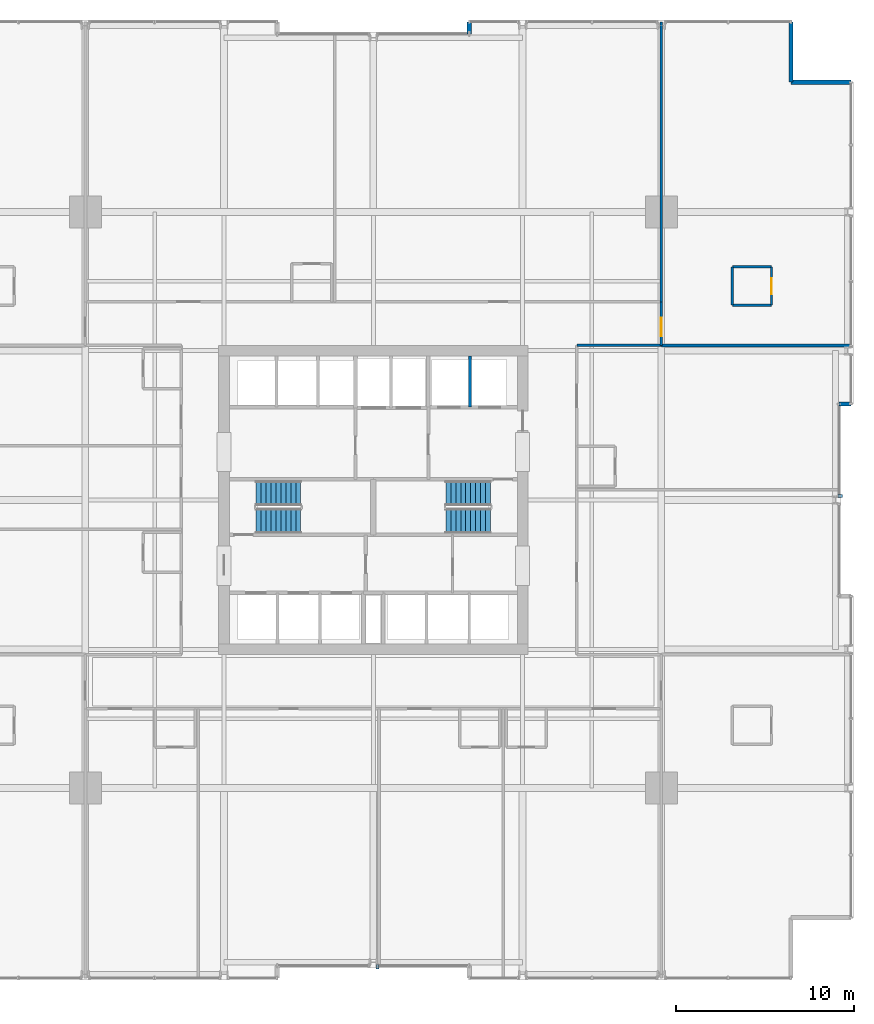
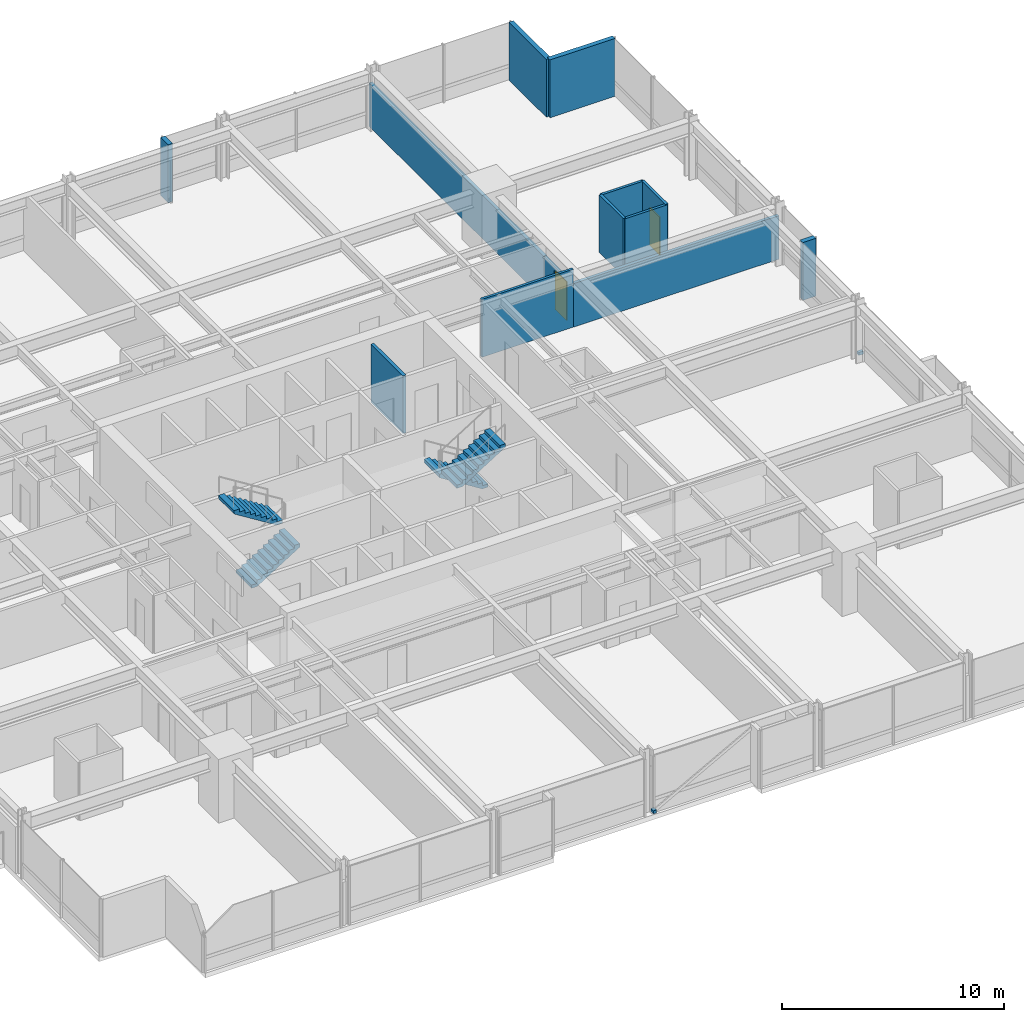
# One storey, part 33 of 37: 13 walls, 4 stair flights, 2 discrete accessories, 2 doors, 2 openings, 2 elements without a shape of their own.
"""IFC4 building model written with IfcOpenShell, lengths in metres."""

import ifcopenshell
import ifcopenshell.guid

model = None  # the IFC model being written
_history = None  # IfcOwnerHistory: only IFC2X3 demands one
_inside = {}  # id of a spatial element -> (the spatial element, [elements in it])
_under = {}  # id of a project, library or spatial element -> (it, [spatial elements below it])
_declared = {}  # id of a project -> (the project, [libraries it declares])
_typed = {}  # id of a type object -> (the type object, [elements of that type])
_made_of = {}  # id of a material, layer set ... -> (it, [elements and type objects made of it])


def new_model(schema):
    """Start an empty IFC model of exactly this schema.

    Asked for "IFC4X3", IfcOpenShell would pick the latest addendum, in which some entities
    have other attributes; the version numbers below select the first issue.
    IFC2X3 requires an IfcOwnerHistory on every rooted entity: one is made here for all.
    """
    global model, _history
    if schema == "IFC4X3":
        model = ifcopenshell.file(schema_version=(4, 3, 0, 0))
    else:
        model = ifcopenshell.file(schema=schema)
    _inside.clear()
    _under.clear()
    _declared.clear()
    _typed.clear()
    _made_of.clear()
    _history = None
    if model.schema == "IFC2X3":
        org = make("IfcOrganization", Name="unknown")
        user = make(
            "IfcPersonAndOrganization",
            ThePerson=make("IfcPerson", FamilyName="unknown"),
            TheOrganization=org,
        )
        app = make(
            "IfcApplication",
            ApplicationDeveloper=org,
            Version="unknown",
            ApplicationFullName="unknown",
            ApplicationIdentifier="unknown",
        )
        _history = make(
            "IfcOwnerHistory",
            OwningUser=user,
            OwningApplication=app,
            ChangeAction="ADDED",
            CreationDate=0,
        )
    return model


def make(cls, **values):
    """One entity of the class cls with the attributes given. An attribute that is None is left unset."""
    return model.create_entity(
        cls, **{name: value for name, value in values.items() if value is not None}
    )


def rooted(cls, **values):
    """An entity with a GlobalId (a new one), such as an element, a storey or a relation."""
    return make(cls, GlobalId=ifcopenshell.guid.new(), OwnerHistory=_history, **values)


def si_unit(unit_type, name, prefix=None):
    """IfcSIUnit, for example si_unit("LENGTHUNIT", "METRE", prefix="MILLI")."""
    return make("IfcSIUnit", UnitType=unit_type, Prefix=prefix, Name=name)


def assignment(units):
    """IfcUnitAssignment: the units of a project."""
    return None if units is None else make("IfcUnitAssignment", Units=units)


def point(xyz):
    """IfcCartesianPoint."""
    return None if xyz is None else make("IfcCartesianPoint", Coordinates=xyz)


def direction(xyz):
    """IfcDirection."""
    return None if xyz is None else make("IfcDirection", DirectionRatios=xyz)


def frame(location, z_axis=None, x_axis=None):
    """IfcAxis2Placement3D, a coordinate frame: its origin and axes. An axis left out is left unset."""
    return make(
        "IfcAxis2Placement3D",
        Location=point(location),
        Axis=direction(z_axis),
        RefDirection=direction(x_axis),
    )


def frame_2d(location, x_axis=None):
    """IfcAxis2Placement2D, a coordinate frame in the plane: its origin and x axis."""
    return make(
        "IfcAxis2Placement2D", Location=point(location), RefDirection=direction(x_axis)
    )


def origin():
    """The frame at (0, 0, 0) with its axes left unset."""
    return frame((0.0, 0.0, 0.0))


def origin_2d():
    """The frame at (0, 0) in the plane with its x axis left unset."""
    return frame_2d((0.0, 0.0))


def place(relative_to, where):
    """IfcLocalPlacement: puts the frame where relative to a parent placement (None: the world)."""
    return make(
        "IfcLocalPlacement", PlacementRelTo=relative_to, RelativePlacement=where
    )


def context(
    kind, dimensions, precision=None, world=None, true_north=None, identifier=None
):
    """IfcGeometricRepresentationContext, for example the 3D "Model" context."""
    return make(
        "IfcGeometricRepresentationContext",
        ContextIdentifier=identifier,
        ContextType=kind,
        CoordinateSpaceDimension=dimensions,
        Precision=precision,
        WorldCoordinateSystem=world,
        TrueNorth=true_north,
    )


def subcontext(parent, identifier, kind, view, scale=None):
    """IfcGeometricRepresentationSubContext, for example "Body" below "Model"."""
    return make(
        "IfcGeometricRepresentationSubContext",
        ContextIdentifier=identifier,
        ContextType=kind,
        ParentContext=parent,
        TargetScale=scale,
        TargetView=view,
    )


def project(units=None, contexts=None):
    """IfcProject with its units and contexts."""
    return rooted(
        "IfcProject",
        Name="project",
        RepresentationContexts=contexts,
        UnitsInContext=assignment(units),
    )


def spatial(cls, under=None, at=None, **own):
    """A site, building, storey or space (cls), placed at a placement, below another one or the project."""
    s = rooted(cls, ObjectPlacement=at, **own)
    if under is not None:
        _under.setdefault(under.id(), (under, []))[1].append(s)
    return s


def polyline(points):
    """IfcPolyline through the points."""
    return make("IfcPolyline", Points=[point(p) for p in points])


def profile(cls, at=None, kind="AREA", **sizes):
    """A parametric profile (cls). Its sizes go by their IFC names, for example OverallWidth=200.0."""
    return make(cls, ProfileType=kind, Position=at, **sizes)


def rectangle(**sizes):
    """IfcRectangleProfileDef."""
    return profile("IfcRectangleProfileDef", **sizes)


def outline(outer, holes=None, kind="AREA"):
    """IfcArbitraryClosedProfileDef: a profile drawn as a closed curve; with holes, ...WithVoids."""
    if holes is None:
        return make("IfcArbitraryClosedProfileDef", ProfileType=kind, OuterCurve=outer)
    return make(
        "IfcArbitraryProfileDefWithVoids",
        ProfileType=kind,
        OuterCurve=outer,
        InnerCurves=holes,
    )


def extrude(swept, where, along, depth):
    """IfcExtrudedAreaSolid: the profile swept, set in the frame where, extruded along a direction by depth."""
    return make(
        "IfcExtrudedAreaSolid",
        SweptArea=swept,
        Position=where,
        ExtrudedDirection=direction(along),
        Depth=depth,
    )


def shape(context_of_items, identifier, shape_type, items):
    """IfcShapeRepresentation: the items that make up one representation, for example the "Body"."""
    return make(
        "IfcShapeRepresentation",
        ContextOfItems=context_of_items,
        RepresentationIdentifier=identifier,
        RepresentationType=shape_type,
        Items=items,
    )


def material(Name=None, Category=None):
    """IfcMaterial."""
    return make("IfcMaterial", Name=Name, Category=Category)


def layer(
    of_material, thickness, ventilated=None, Name=None, Category=None, Priority=None
):
    """IfcMaterialLayer: one layer of a wall or slab, of a material (None: an air gap)."""
    return make(
        "IfcMaterialLayer",
        Material=of_material,
        LayerThickness=thickness,
        IsVentilated=ventilated,
        Name=Name,
        Category=Category,
        Priority=Priority,
    )


def layer_set(layers, Name=None):
    """IfcMaterialLayerSet."""
    return make("IfcMaterialLayerSet", MaterialLayers=layers, LayerSetName=Name)


def made_of(thing, what):
    """Note that an element or type object is made of a material, layer set ...; save() writes the relation."""
    if what is not None:
        _made_of.setdefault(what.id(), (what, []))[1].append(thing)
    return thing


def type_object(cls, material=None, **own):
    """A type object (cls), such as IfcWallType, which elements share."""
    return made_of(rooted(cls, **own), material)


def element(
    cls,
    number,
    at=None,
    inside=None,
    cuts=None,
    type_object=None,
    material=None,
    context=None,
    identifier="Body",
    shape_type=None,
    held_by="IfcProductDefinitionShape",
    body=None,
    shapes=None,
    **own,
):
    """One element of the class cls, such as IfcWall. Its Tag is "e" and its number.

    at: its placement. inside: the storey or other place that contains it. cuts: it is an
    opening in that element (IfcRelVoidsElement). A single representation is given by context,
    identifier, shape_type and body (its items); several are given by shapes. held_by: the class
    of the entity that holds the representations. save() writes the other relations.
    """
    e = rooted(cls, Tag="e%d" % number, ObjectPlacement=at, **own)
    if body is not None:
        shapes = [shape(context, identifier, shape_type, body)]
    if shapes is not None:
        e.Representation = make(held_by, Representations=shapes)
    if inside is not None:
        _inside.setdefault(inside.id(), (inside, []))[1].append(e)
    if cuts is not None:
        rooted(
            "IfcRelVoidsElement", RelatingBuildingElement=cuts, RelatedOpeningElement=e
        )
    if type_object is not None:
        _typed.setdefault(type_object.id(), (type_object, []))[1].append(e)
    return made_of(e, material)


def fill(opening, filler):
    """IfcRelFillsElement: the door or window that sits in an opening."""
    return rooted(
        "IfcRelFillsElement",
        RelatingOpeningElement=opening,
        RelatedBuildingElement=filler,
    )


def aggregate(whole, parts):
    """IfcRelAggregates: a whole, such as a stair, and the parts it consists of."""
    return rooted("IfcRelAggregates", RelatingObject=whole, RelatedObjects=parts)


def save(model, path):
    """Write the relations noted so far, then the file.

    IfcRelAggregates (storeys below a building ...), IfcRelContainedInSpatialStructure (elements
    in a storey), IfcRelDefinesByType, IfcRelAssociatesMaterial and IfcRelDeclares: one each for
    every whole, place, type object, material and project.
    """
    for whole, parts in _under.values():
        aggregate(whole, parts)
    for where, things in _inside.values():
        rooted(
            "IfcRelContainedInSpatialStructure",
            RelatedElements=things,
            RelatingStructure=where,
        )
    for kind, things in _typed.values():
        rooted("IfcRelDefinesByType", RelatedObjects=things, RelatingType=kind)
    for what, things in _made_of.values():
        rooted("IfcRelAssociatesMaterial", RelatedObjects=things, RelatingMaterial=what)
    for by, libraries in _declared.values():
        rooted("IfcRelDeclares", RelatingContext=by, RelatedDefinitions=libraries)
    model.write(path)


model = new_model("IFC4")

# Units and contexts
model_context = context("Model", 3, precision=1e-05, world=origin(), true_north=direction((0.0, 1.0)))
body_context = subcontext(model_context, "Body", "Model", "MODEL_VIEW")
ifc_project = project(units=[si_unit("LENGTHUNIT", "METRE"), si_unit("AREAUNIT", "SQUARE_METRE"), si_unit("VOLUMEUNIT", "CUBIC_METRE"), si_unit("PLANEANGLEUNIT", "RADIAN"), si_unit("MASSUNIT", "GRAM", prefix="KILO")], contexts=[model_context])

# Site, building, storey
site_placement = place(None, origin())
site = spatial("IfcSite", under=ifc_project, at=site_placement, CompositionType="ELEMENT")
building_placement = place(site_placement, origin())
building = spatial("IfcBuilding", under=site, at=building_placement, Name="Drelvath Grand Hotel", CompositionType="ELEMENT")
storey_placement = place(building_placement, frame((0.0, 0.0, 78.699951171875)))
storey = spatial("IfcBuildingStorey", under=building, at=storey_placement, Name="L19", CompositionType="ELEMENT", Elevation=78.699951171875)

# Walls
ifc_material_1 = material(Name="Gypsum Fireboard Partition")
ifc_layer_1 = layer(ifc_material_1, 0.1650390625)
ifc_layer_set_1 = layer_set([ifc_layer_1], Name="Gypsum Fireboard Partition")
wall_type_1 = type_object("IfcWallType", Name="Core Shaft Partition 165", PredefinedType="PARTITIONING", material=ifc_layer_set_1)
wall_1_placement = place(storey_placement, frame((5.449951171875, 32.219970703125, 0.0), z_axis=(0.0, 0.0, 1.0), x_axis=(0.0, 1.0, 0.0)))
element("IfcWall", 1, at=wall_1_placement, inside=storey, type_object=wall_type_1, Name="L19 FSAE Hoistway Divider", PredefinedType="PARTITIONING", context=body_context, shape_type="SweptSolid", body=[
    extrude(rectangle(XDim=2.880126953125, YDim=0.1650390625, at=frame_2d((1.43994140625, 0.0))), origin(), (0.0, 0.0, 1.0), 3.179931640625),
])
ifc_layer_2 = layer(ifc_material_1, 0.135009765625)
ifc_layer_set_2 = layer_set([ifc_layer_2], Name="Gypsum Fireboard Partition")
wall_type_2 = type_object("IfcWallType", Name="Corridor Fire Barrier Wall 135", PredefinedType="PARTITIONING", material=ifc_layer_set_2)
wall_2_placement = place(storey_placement, frame((11.449951171875, 35.699951171875, 0.0), z_axis=(0.0, 0.0, 1.0), x_axis=(1.0, 0.0, 0.0)))
element("IfcWall", 2, at=wall_2_placement, inside=storey, type_object=wall_type_2, Name="L19 NE Spur Inner Wall", PredefinedType="PARTITIONING", context=body_context, shape_type="SweptSolid", body=[
    extrude(rectangle(XDim=4.75, YDim=0.135009765625, at=frame_2d((2.375, 0.0))), origin(), (0.0, 0.0, 1.0), 3.179931640625),
])

# Wall, opening, door
wall_3_placement = place(storey_placement, frame((16.199951171875, 35.699951171875, 0.0), z_axis=(0.0, 0.0, 1.0), x_axis=(0.0, 1.0, 0.0)))
wall_3 = element("IfcWall", 3, at=wall_3_placement, inside=storey, type_object=wall_type_2, Name="L19 North Corridor East End", PredefinedType="PARTITIONING", context=body_context, shape_type="SweptSolid", body=[
    extrude(rectangle(XDim=2.449951171875, YDim=0.135009765625, at=frame_2d((1.22509765625, 0.0))), origin(), (0.0, 0.0, 1.0), 2.391845703125),
])
opening_1_placement = place(wall_3_placement, frame((0.52001953125, 0.0, 0.0)))
opening_1 = element("IfcOpeningElement", 4, at=opening_1_placement, cuts=wall_3, Name="Opening D-T1G5-023", PredefinedType="OPENING", context=body_context, shape_type="SweptSolid", body=[
    extrude(rectangle(XDim=1.02001953125, YDim=2.14990234375, at=frame_2d((0.510009765625, 1.074951171875))), frame((0.0, 0.077392578125, 0.0), z_axis=(0.0, -1.0, 0.0), x_axis=(1.0, 0.0, 0.0)), (0.0, 0.0, 1.0), 0.155029296875),
])
ifc_material_2 = material(Name="Hardwood Walnut Timber", Category="wood")
door_type_1 = type_object("IfcDoorType", Name="Amenity Meeting Fire Door 1020x2150", OperationType="NOTDEFINED", PredefinedType="DOOR", material=ifc_material_2)
door_1_placement = place(opening_1_placement, origin())
door_1 = element("IfcDoor", 5, at=door_1_placement, inside=storey, type_object=door_type_1, Name="L19 Corner Suite Entry Door", OperationType="SINGLE_SWING_RIGHT", OverallHeight=2.14990234375, OverallWidth=1.02001953125, PredefinedType="DOOR", context=body_context, shape_type="SweptSolid", body=[
    extrude(rectangle(XDim=1.02001953125, YDim=2.14990234375, at=frame_2d((0.510009765625, 1.074951171875))), frame((0.0, 0.02490234375, 0.0), z_axis=(0.0, -1.0, 0.0), x_axis=(1.0, 0.0, 0.0)), (0.0, 0.0, 1.0), 0.050048828125),
])
fill(opening_1, door_1)

# Walls
ifc_material_3 = material(Name="Moisture-Resistant Gypsum Board")
ifc_layer_3 = layer(ifc_material_3, 0.139892578125)
ifc_layer_set_3 = layer_set([ifc_layer_3], Name="Moisture-Resistant Gypsum Board")
wall_type_3 = type_object("IfcWallType", Name="En-Suite Plumbing Wall 140", PredefinedType="PLUMBINGWALL", material=ifc_layer_set_3)
for number, where, z_axis, x_axis, name in (
    (6, (20.199951171875, 37.9599609375, 0.0), (0.0, 0.0, 1.0), (1.0, 0.0, 0.0), "L19 Corner En-Suite South"),
    (7, (20.199951171875, 40.110107421875, 0.0), (0.0, 0.0, 1.0), (1.0, 0.0, 0.0), "L19 Corner En-Suite North"),
):
    element("IfcWall", number, at=place(storey_placement, frame(where, z_axis=z_axis, x_axis=x_axis)), inside=storey, type_object=wall_type_3, Name=name, PredefinedType="PLUMBINGWALL", context=body_context, shape_type="SweptSolid", body=[
        extrude(rectangle(XDim=2.199951171875, YDim=0.139892578125, at=frame_2d((1.10009765625, 0.0))), origin(), (0.0, 0.0, 1.0), 3.179931640625),
    ])
wall_4_placement = place(storey_placement, frame((20.199951171875, 37.9599609375, 0.0), z_axis=(0.0, 0.0, 1.0), x_axis=(0.0, 1.0, 0.0)))
element("IfcWall", 8, at=wall_4_placement, inside=storey, type_object=wall_type_3, Name="L19 Corner En-Suite West", PredefinedType="PLUMBINGWALL", context=body_context, shape_type="SweptSolid", body=[
    extrude(rectangle(XDim=2.150146484375, YDim=0.139892578125, at=frame_2d((1.0751953125, 0.0))), origin(), (0.0, 0.0, 1.0), 3.179931640625),
])

# Wall, opening, door
wall_5_placement = place(storey_placement, frame((22.39990234375, 37.9599609375, 0.0), z_axis=(0.0, 0.0, 1.0), x_axis=(0.0, 1.0, 0.0)))
wall_5 = element("IfcWall", 9, at=wall_5_placement, inside=storey, type_object=wall_type_3, Name="L19 Corner En-Suite East", PredefinedType="PLUMBINGWALL", context=body_context, shape_type="SweptSolid", body=[
    extrude(rectangle(XDim=2.150146484375, YDim=0.139892578125, at=frame_2d((1.0751953125, 0.0))), origin(), (0.0, 0.0, 1.0), 3.179931640625),
])
opening_2_placement = place(wall_5_placement, frame((0.6201171875, 0.0, 0.0)))
opening_2 = element("IfcOpeningElement", 10, at=opening_2_placement, cuts=wall_5, Name="Opening D-T1G5-022", PredefinedType="OPENING", context=body_context, shape_type="SweptSolid", body=[
    extrude(rectangle(XDim=0.8798828125, YDim=2.10009765625, at=frame_2d((0.43994140625, 1.050048828125))), frame((0.0, 0.079833984375, 0.0), z_axis=(0.0, -1.0, 0.0), x_axis=(1.0, 0.0, 0.0)), (0.0, 0.0, 1.0), 0.159912109375),
])
door_type_2 = type_object("IfcDoorType", Name="En-Suite Bathroom Door 880x2100", OperationType="NOTDEFINED", PredefinedType="DOOR", material=ifc_material_2)
door_2_placement = place(opening_2_placement, origin())
door_2 = element("IfcDoor", 11, at=door_2_placement, inside=storey, type_object=door_type_2, Name="L19 Corner En-Suite Door", OperationType="SINGLE_SWING_LEFT", OverallHeight=2.10009765625, OverallWidth=0.8798828125, PredefinedType="DOOR", context=body_context, shape_type="SweptSolid", body=[
    extrude(rectangle(XDim=0.8798828125, YDim=2.10009765625, at=frame_2d((0.43994140625, 1.050048828125))), frame((0.0, 0.02490234375, 0.0), z_axis=(0.0, -1.0, 0.0), x_axis=(1.0, 0.0, 0.0)), (0.0, 0.0, 1.0), 0.050048828125),
])
fill(opening_2, door_2)

# Walls
ifc_material_4 = material(Name="Gypsum Acoustic Partition")
ifc_layer_4 = layer(ifc_material_4, 0.1650390625)
ifc_layer_set_4 = layer_set([ifc_layer_4], Name="Gypsum Acoustic Partition")
wall_type_4 = type_object("IfcWallType", Name="Suite Demising Wall 165", PredefinedType="PARTITIONING", material=ifc_layer_set_4)
wall_6_placement = place(storey_placement, frame((16.199951171875, 38.14990234375, 0.0), z_axis=(0.0, 0.0, 1.0), x_axis=(0.0, 1.0, 0.0)))
element("IfcWall", 12, at=wall_6_placement, inside=storey, type_object=wall_type_4, Name="L19 NE Wing Boundary Wall", PredefinedType="PARTITIONING", context=body_context, shape_type="SweptSolid", body=[
    extrude(rectangle(XDim=15.72998046875, YDim=0.1650390625, at=frame_2d((7.864990234375, 0.0))), origin(), (0.0, 0.0, 1.0), 2.391845703125),
])
wall_7_placement = place(storey_placement, frame((16.199951171875, 35.699951171875, 0.0), z_axis=(0.0, 0.0, 1.0), x_axis=(1.0, 0.0, 0.0)))
element("IfcWall", 13, at=wall_7_placement, inside=storey, type_object=wall_type_4, Name="L19 NE Corner South Wall", PredefinedType="PARTITIONING", context=body_context, shape_type="SweptSolid", body=[
    extrude(rectangle(XDim=10.679931640625, YDim=0.1650390625, at=frame_2d((5.33984375, 0.0))), origin(), (0.0, 0.0, 1.0), 2.391845703125),
])
ifc_material_5 = material(Name="Pale-Metal Insulated Aluminium Spandrel Assembly", Category="aluminium")
ifc_layer_5 = layer(ifc_material_5, 0.239990234375)
ifc_layer_set_5 = layer_set([ifc_layer_5], Name="Pale-Metal Insulated Aluminium Spandrel Assembly")
wall_type_5 = type_object("IfcWallType", Name="Tower Insulated Metal Spandrel Closure Wall 240", PredefinedType="STANDARD", material=ifc_layer_set_5)
for number, where, z_axis, x_axis, name in (
    (14, (23.5, 53.8798828125, 0.0), (0.0, 0.0, 1.0), (0.0, -1.0, 0.0), "L19 Notched Corner Return Spandrel Wall CNE1"),
    (15, (23.5, 50.5, 0.0), (0.0, 0.0, 1.0), (1.0, 0.0, 0.0), "L19 Notched Corner Return Spandrel Wall CNE2"),
):
    element("IfcWall", number, at=place(storey_placement, frame(where, z_axis=z_axis, x_axis=x_axis)), inside=storey, type_object=wall_type_5, Name=name, PredefinedType="STANDARD", context=body_context, shape_type="SweptSolid", body=[
        extrude(rectangle(XDim=3.3798828125, YDim=0.239990234375, at=frame_2d((1.68994140625, 0.0))), origin(), (0.0, 0.0, 1.0), 3.179931640625),
    ])
for number, where, z_axis, x_axis, name in (
    (16, (26.8798828125, 32.39990234375, 0.0), (0.0, 0.0, 1.0), (-1.0, 0.0, 0.0), "L19 Notched Corner Return Spandrel Wall RE1"),
    (17, (5.39990234375, 53.199951171875, 0.0), (0.0, 0.0, 1.0), (0.0, 1.0, 0.0), "L19 Notched Corner Return Spandrel Wall RN2"),
):
    element("IfcWall", number, at=place(storey_placement, frame(where, z_axis=z_axis, x_axis=x_axis)), inside=storey, type_object=wall_type_5, Name=name, PredefinedType="STANDARD", context=body_context, shape_type="SweptSolid", body=[
        extrude(rectangle(XDim=0.679931640625, YDim=0.239990234375, at=frame_2d((0.33984375, 0.0))), origin(), (0.0, 0.0, 1.0), 3.179931640625),
    ])

# Stair, stair flights
ifc_material_6 = material(Name="Concrete C40/50", Category="concrete")
stair_type = type_object("IfcStairType", Name="Dogleg Exit Stair W1400-R175.0", PredefinedType="HALF_TURN_STAIR", material=ifc_material_6)
stair_1_placement = place(storey_placement, origin())
stair_1 = element("IfcStair", 18, at=stair_1_placement, inside=storey, type_object=stair_type, Name="L19 Core Exit Stair ST-1", PredefinedType="HALF_TURN_STAIR")
stair_flight_type = type_object("IfcStairFlightType", Name="Concrete Stair Flight W1400-R175.0", PredefinedType="STRAIGHT", material=ifc_material_6)
stair_flight_1_placement = place(storey_placement, frame((-6.60009765625, 25.820068359375, 0.0), z_axis=(0.0, 0.0, 1.0), x_axis=(1.0, 0.0, 0.0)))
stair_flight_1 = element("IfcStairFlight", 19, at=stair_flight_1_placement, type_object=stair_flight_type, Name="ST-1 flight 1", NumberOfRisers=10, NumberOfTreads=9, PredefinedType="STRAIGHT", RiserHeight=0.175, TreadLength=0.28, context=body_context, shape_type="SweptSolid", body=[
    extrude(outline(polyline([(0.0, 0.0), (0.0, 0.175048828125), (0.280029296875, 0.175048828125), (0.280029296875, 0.35009765625), (0.56005859375, 0.35009765625), (0.56005859375, 0.52490234375), (0.840087890625, 0.52490234375), (0.840087890625, 0.699951171875), (1.1201171875, 0.699951171875), (1.1201171875, 0.875), (1.39990234375, 0.875), (1.39990234375, 1.050048828125), (1.679931640625, 1.050048828125), (1.679931640625, 1.22509765625), (1.9599609375, 1.22509765625), (1.9599609375, 1.39990234375), (2.239990234375, 1.39990234375), (2.239990234375, 1.574951171875), (2.52001953125, 1.574951171875), (2.52001953125, 1.75), (2.52001953125, 1.386474609375), (0.3017578125, 0.0), (0.0, 0.0)])), frame((0.0, 0.699951171875, 0.0), z_axis=(0.0, -1.0, 0.0), x_axis=(1.0, 0.0, 0.0)), (0.0, 0.0, 1.0), 1.39990234375),
])
stair_flight_2_placement = place(storey_placement, frame((-4.080078125, 27.3798828125, 1.75), z_axis=(0.0, 0.0, 1.0), x_axis=(-1.0, 0.0, 0.0)))
stair_flight_2 = element("IfcStairFlight", 20, at=stair_flight_2_placement, type_object=stair_flight_type, Name="ST-1 flight 2", NumberOfRisers=10, NumberOfTreads=9, PredefinedType="STRAIGHT", RiserHeight=0.175, TreadLength=0.28, context=body_context, shape_type="SweptSolid", body=[
    extrude(outline(polyline([(0.0, 0.0), (0.0, 0.175048828125), (0.280029296875, 0.175048828125), (0.280029296875, 0.35009765625), (0.56005859375, 0.35009765625), (0.56005859375, 0.52490234375), (0.840087890625, 0.52490234375), (0.840087890625, 0.699951171875), (1.1201171875, 0.699951171875), (1.1201171875, 0.875), (1.39990234375, 0.875), (1.39990234375, 1.050048828125), (1.679931640625, 1.050048828125), (1.679931640625, 1.22509765625), (1.9599609375, 1.22509765625), (1.9599609375, 1.39990234375), (2.239990234375, 1.39990234375), (2.239990234375, 1.574951171875), (2.52001953125, 1.574951171875), (2.52001953125, 1.75), (2.52001953125, 1.386474609375), (0.3017578125, 0.0), (0.0, 0.0)])), frame((0.0, 0.699951171875, 0.0), z_axis=(0.0, -1.0, 0.0), x_axis=(1.0, 0.0, 0.0)), (0.0, 0.0, 1.0), 1.39990234375),
])
aggregate(stair_1, [stair_flight_1, stair_flight_2])

stair_2_placement = place(storey_placement, origin())
stair_2 = element("IfcStair", 21, at=stair_2_placement, inside=storey, type_object=stair_type, Name="L19 Core Exit Stair ST-2", PredefinedType="HALF_TURN_STAIR")
stair_flight_3_placement = place(storey_placement, frame((6.60009765625, 27.3798828125, 0.0), z_axis=(0.0, 0.0, 1.0), x_axis=(-1.0, 0.0, 0.0)))
stair_flight_3 = element("IfcStairFlight", 22, at=stair_flight_3_placement, type_object=stair_flight_type, Name="ST-2 flight 1", NumberOfRisers=10, NumberOfTreads=9, PredefinedType="STRAIGHT", RiserHeight=0.175, TreadLength=0.28, context=body_context, shape_type="SweptSolid", body=[
    extrude(outline(polyline([(0.0, 0.0), (0.0, 0.175048828125), (0.280029296875, 0.175048828125), (0.280029296875, 0.35009765625), (0.56005859375, 0.35009765625), (0.56005859375, 0.52490234375), (0.840087890625, 0.52490234375), (0.840087890625, 0.699951171875), (1.1201171875, 0.699951171875), (1.1201171875, 0.875), (1.39990234375, 0.875), (1.39990234375, 1.050048828125), (1.679931640625, 1.050048828125), (1.679931640625, 1.22509765625), (1.9599609375, 1.22509765625), (1.9599609375, 1.39990234375), (2.239990234375, 1.39990234375), (2.239990234375, 1.574951171875), (2.52001953125, 1.574951171875), (2.52001953125, 1.75), (2.52001953125, 1.386474609375), (0.3017578125, 0.0), (0.0, 0.0)])), frame((0.0, 0.699951171875, 0.0), z_axis=(0.0, -1.0, 0.0), x_axis=(1.0, 0.0, 0.0)), (0.0, 0.0, 1.0), 1.39990234375),
])
stair_flight_4_placement = place(storey_placement, frame((4.080078125, 25.820068359375, 1.75), z_axis=(0.0, 0.0, 1.0), x_axis=(1.0, 0.0, 0.0)))
stair_flight_4 = element("IfcStairFlight", 23, at=stair_flight_4_placement, type_object=stair_flight_type, Name="ST-2 flight 2", NumberOfRisers=10, NumberOfTreads=9, PredefinedType="STRAIGHT", RiserHeight=0.175, TreadLength=0.28, context=body_context, shape_type="SweptSolid", body=[
    extrude(outline(polyline([(0.0, 0.0), (0.0, 0.175048828125), (0.280029296875, 0.175048828125), (0.280029296875, 0.35009765625), (0.56005859375, 0.35009765625), (0.56005859375, 0.52490234375), (0.840087890625, 0.52490234375), (0.840087890625, 0.699951171875), (1.1201171875, 0.699951171875), (1.1201171875, 0.875), (1.39990234375, 0.875), (1.39990234375, 1.050048828125), (1.679931640625, 1.050048828125), (1.679931640625, 1.22509765625), (1.9599609375, 1.22509765625), (1.9599609375, 1.39990234375), (2.239990234375, 1.39990234375), (2.239990234375, 1.574951171875), (2.52001953125, 1.574951171875), (2.52001953125, 1.75), (2.52001953125, 1.386474609375), (0.3017578125, 0.0), (0.0, 0.0)])), frame((0.0, 0.699951171875, 0.0), z_axis=(0.0, -1.0, 0.0), x_axis=(1.0, 0.0, 0.0)), (0.0, 0.0, 1.0), 1.39990234375),
])
aggregate(stair_2, [stair_flight_3, stair_flight_4])

# Discrete accessories
ifc_material_7 = material(Name="Stainless Steel Grade 316", Category="steel")
discrete_accessory_type = type_object("IfcDiscreteAccessoryType", Name="Curtain Wall Fin Mounting Bracket Cleat", PredefinedType="BRACKET", material=ifc_material_7)
for number, where, z_axis, x_axis, name in (
    (24, (26.260009765625, 27.22900390625, 0.10009765625), (0.0, 0.0, 1.0), (0.0, -1.0, 0.0), "L19 Fin Mounting Bracket CW02-L19-EM2-1"),
    (25, (0.22900390625, 0.739990234375, 0.10009765625), (0.0, 0.0, 1.0), (-1.0, 0.0, 0.0), "L19 Fin Mounting Bracket CW02-L19-SM2-1"),
):
    element("IfcDiscreteAccessory", number, at=place(storey_placement, frame(where, z_axis=z_axis, x_axis=x_axis)), inside=storey, type_object=discrete_accessory_type, Name=name, PredefinedType="BRACKET", context=body_context, shape_type="SweptSolid", body=[
        extrude(rectangle(XDim=0.159912109375, YDim=0.239990234375, at=origin_2d()), origin(), (0.0, 0.0, 1.0), 0.159912109375),
    ])

save(model, "model.ifc")
